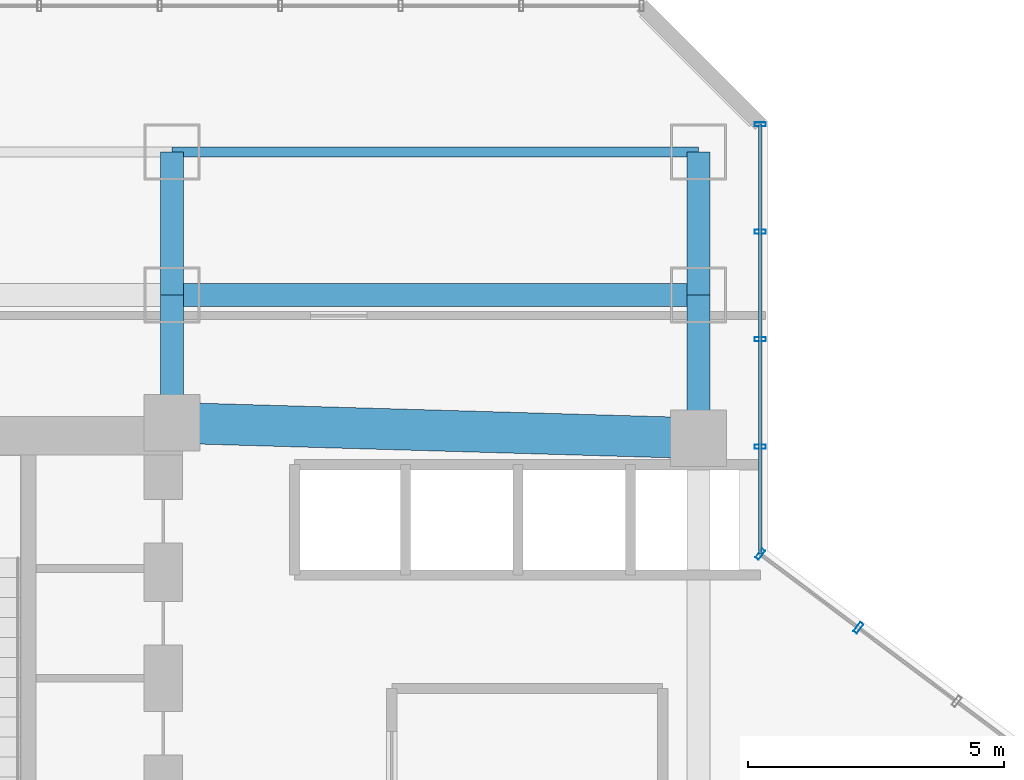
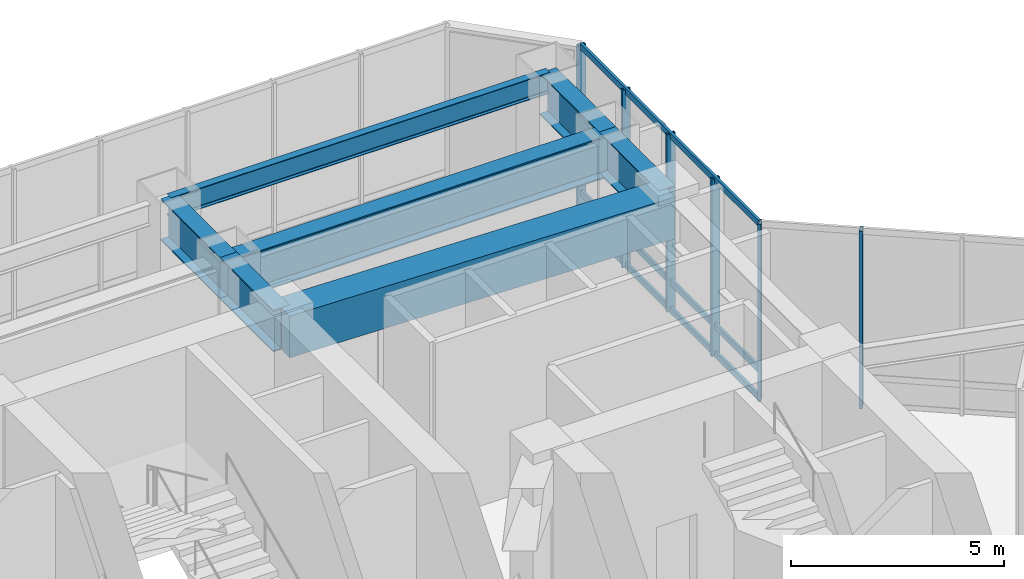
# One storey, part 20 of 35: 9 members, 7 beams, 2 elements without a shape of their own.
"""IFC4 building model written with IfcOpenShell, lengths in metres."""

from ifc_helpers import new_model, si_unit, direction, frame, origin, origin_2d, place, context, subcontext, project, spatial, rectangle, hollow_rectangle, i_section, extrude, material, layer, layer_set, material_profile, profile_set, type_object, element, aggregate, save


model = new_model("IFC4")

# Units and contexts
model_context = context("Model", 3, precision=1e-05, world=origin(), true_north=direction((0.0, 1.0)))
body_context = subcontext(model_context, "Body", "Model", "MODEL_VIEW")
ifc_project = project(units=[si_unit("LENGTHUNIT", "METRE"), si_unit("AREAUNIT", "SQUARE_METRE"), si_unit("VOLUMEUNIT", "CUBIC_METRE"), si_unit("PLANEANGLEUNIT", "RADIAN"), si_unit("MASSUNIT", "GRAM", prefix="KILO")], contexts=[model_context])

# Site, building, storey
site_placement = place(None, origin())
site = spatial("IfcSite", under=ifc_project, at=site_placement, CompositionType="ELEMENT")
building_placement = place(site_placement, origin())
building = spatial("IfcBuilding", under=site, at=building_placement, Name="Hatsunagi Terrace Concourse", CompositionType="ELEMENT")
storey_placement = place(building_placement, frame((0.0, 0.0, 10.800048828125)))
storey = spatial("IfcBuildingStorey", under=building, at=storey_placement, Name="L03", CompositionType="ELEMENT", Elevation=10.800048828125)

# Beam
ifc_material_1 = material(Name="Concrete Fc60", Category="concrete")
ifc_material_profile_1 = material_profile(ifc_material_1, rectangle(XDim=0.800048828125, YDim=1.199951171875, at=origin_2d()), Name="RC-800x1200")
ifc_profile_set_1 = profile_set([ifc_material_profile_1], Name="Concrete Fc60")
beam_type_1 = type_object("IfcBeamType", Name="CoreCouplingBeam_RC_800x1200", PredefinedType="BEAM", material=ifc_profile_set_1)
beam_1_placement = place(storey_placement, frame((33.35009765625, 43.300048828125, 4.5), z_axis=(0.999575947545, -0.029119153303, 0.0), x_axis=(0.029119153303, 0.999575947545, 0.0)))
element("IfcBeam", 1, at=beam_1_placement, inside=storey, type_object=beam_type_1, Name="Beam CB-01 CB-L03-2", PredefinedType="BEAM", context=body_context, shape_type="SweptSolid", body=[
    extrude(rectangle(XDim=0.800048828125, YDim=1.199951171875, at=origin_2d()), origin(), (0.0, 0.0, 1.0), 10.30419921875),
])

# Curtain wall, members
ifc_material_2 = material(Name="Anodised Aluminium Alloy 6063-T5", Category="aluminium")
ifc_layer = layer(ifc_material_2, 0.199951171875)
ifc_layer_set = layer_set([ifc_layer], Name="PodiumStorefront_CW01")
curtain_wall_type = type_object("IfcCurtainWallType", Name="PodiumStorefront_CW01", PredefinedType="NOTDEFINED", material=ifc_layer_set)
curtain_wall_1_placement = place(storey_placement, origin())
curtain_wall_1 = element("IfcCurtainWall", 2, at=curtain_wall_1_placement, inside=storey, type_object=curtain_wall_type, Name="Unitised Curtain Wall CW-01 CW-L03-01", PredefinedType="NOTDEFINED")
ifc_material_3 = material(Name="Anodised Aluminium Alloy 6063-T5", Category="aluminium")
ifc_material_profile_2 = material_profile(ifc_material_3, hollow_rectangle(XDim=0.080078125, YDim=0.219970703125, WallThickness=0.0048828125, at=origin_2d()), Name="ALU-MUL-220x80x5")
ifc_profile_set_2 = profile_set([ifc_material_profile_2], Name="Anodised Aluminium Alloy 6063-T5")
member_type_1 = type_object("IfcMemberType", Name="CurtainWallMullion_Heavy_220x80", PredefinedType="MULLION", material=ifc_profile_set_2)
member_1_placement = place(storey_placement, frame((44.860107421875, 40.72998046875, 0.0), z_axis=(0.0, 0.0, 1.0), x_axis=(0.800007305671, -0.599990258982, 0.0)))
member_1 = element("IfcMember", 3, at=member_1_placement, type_object=member_type_1, Name="Curtain Wall Mullion MUL-01", PredefinedType="MULLION", context=body_context, shape_type="SweptSolid", body=[
    extrude(hollow_rectangle(XDim=0.080078125, YDim=0.219970703125, WallThickness=0.0048828125, at=origin_2d()), origin(), (0.0, 0.0, 1.0), 5.099853515625),
])
member_2_placement = place(storey_placement, frame((46.781005859375, 39.2890625, 0.0), z_axis=(0.0, 0.0, 1.0), x_axis=(0.800007305671, -0.599990258982, 0.0)))
member_2 = element("IfcMember", 4, at=member_2_placement, type_object=member_type_1, Name="Curtain Wall Mullion MUL-01", PredefinedType="MULLION", context=body_context, shape_type="SweptSolid", body=[
    extrude(hollow_rectangle(XDim=0.080078125, YDim=0.219970703125, WallThickness=0.0048828125, at=origin_2d()), origin(), (0.0, 0.0, 1.0), 5.099853515625),
])
aggregate(curtain_wall_1, [member_1, member_2])

curtain_wall_2_placement = place(storey_placement, origin())
curtain_wall_2 = element("IfcCurtainWall", 5, at=curtain_wall_2_placement, inside=storey, type_object=curtain_wall_type, Name="Unitised Curtain Wall CW-01 CW-L03-14", PredefinedType="NOTDEFINED")
member_3_placement = place(storey_placement, frame((44.860107421875, 49.14208984375, 0.0), z_axis=(0.0, 0.0, 1.0), x_axis=(0.0, -1.0, 0.0)))
member_3 = element("IfcMember", 6, at=member_3_placement, type_object=member_type_1, Name="Curtain Wall Mullion MUL-01", PredefinedType="MULLION", context=body_context, shape_type="SweptSolid", body=[
    extrude(hollow_rectangle(XDim=0.080078125, YDim=0.219970703125, WallThickness=0.0048828125, at=origin_2d()), origin(), (0.0, 0.0, 1.0), 5.099853515625),
])
member_4_placement = place(storey_placement, frame((44.860107421875, 47.0390625, 0.0), z_axis=(0.0, 0.0, 1.0), x_axis=(0.0, -1.0, 0.0)))
member_4 = element("IfcMember", 7, at=member_4_placement, type_object=member_type_1, Name="Curtain Wall Mullion MUL-01", PredefinedType="MULLION", context=body_context, shape_type="SweptSolid", body=[
    extrude(hollow_rectangle(XDim=0.080078125, YDim=0.219970703125, WallThickness=0.0048828125, at=origin_2d()), origin(), (0.0, 0.0, 1.0), 5.099853515625),
])
member_5_placement = place(storey_placement, frame((44.860107421875, 44.93603515625, 0.0), z_axis=(0.0, 0.0, 1.0), x_axis=(0.0, -1.0, 0.0)))
member_5 = element("IfcMember", 8, at=member_5_placement, type_object=member_type_1, Name="Curtain Wall Mullion MUL-01", PredefinedType="MULLION", context=body_context, shape_type="SweptSolid", body=[
    extrude(hollow_rectangle(XDim=0.080078125, YDim=0.219970703125, WallThickness=0.0048828125, at=origin_2d()), origin(), (0.0, 0.0, 1.0), 5.099853515625),
])
member_6_placement = place(storey_placement, frame((44.860107421875, 42.8330078125, 0.0), z_axis=(0.0, 0.0, 1.0), x_axis=(0.0, -1.0, 0.0)))
member_6 = element("IfcMember", 9, at=member_6_placement, type_object=member_type_1, Name="Curtain Wall Mullion MUL-01", PredefinedType="MULLION", context=body_context, shape_type="SweptSolid", body=[
    extrude(hollow_rectangle(XDim=0.080078125, YDim=0.219970703125, WallThickness=0.0048828125, at=origin_2d()), origin(), (0.0, 0.0, 1.0), 5.099853515625),
])
ifc_material_4 = material(Name="Anodised Aluminium Alloy 6063-T5", Category="aluminium")
ifc_material_profile_3 = material_profile(ifc_material_4, hollow_rectangle(XDim=0.070068359375, YDim=0.179931640625, WallThickness=0.00390625, at=origin_2d()), Name="ALU-TRN-180x70x4")
ifc_profile_set_3 = profile_set([ifc_material_profile_3], Name="Anodised Aluminium Alloy 6063-T5")
member_type_2 = type_object("IfcMemberType", Name="CurtainWallTransom_Heavy_180x70", PredefinedType="USERDEFINED", material=ifc_profile_set_3)
member_7_placement = place(storey_placement, frame((44.860107421875, 49.14208984375, 0.050048828125), z_axis=(0.0, -1.0, 0.0), x_axis=(1.0, 0.0, 0.0)))
member_7 = element("IfcMember", 10, at=member_7_placement, type_object=member_type_2, Name="Curtain Wall Transom TRN-01", ObjectType="TRANSOM", PredefinedType="USERDEFINED", context=body_context, shape_type="SweptSolid", body=[
    extrude(hollow_rectangle(XDim=0.070068359375, YDim=0.179931640625, WallThickness=0.00390625, at=origin_2d()), origin(), (0.0, 0.0, 1.0), 8.412109375),
])
member_8_placement = place(storey_placement, frame((44.860107421875, 49.14208984375, 0.849853515625), z_axis=(0.0, -1.0, 0.0), x_axis=(1.0, 0.0, 0.0)))
member_8 = element("IfcMember", 11, at=member_8_placement, type_object=member_type_2, Name="Curtain Wall Transom TRN-01", ObjectType="TRANSOM", PredefinedType="USERDEFINED", context=body_context, shape_type="SweptSolid", body=[
    extrude(hollow_rectangle(XDim=0.070068359375, YDim=0.179931640625, WallThickness=0.00390625, at=origin_2d()), origin(), (0.0, 0.0, 1.0), 8.412109375),
])
member_9_placement = place(storey_placement, frame((44.860107421875, 49.14208984375, 5.050048828125), z_axis=(0.0, -1.0, 0.0), x_axis=(1.0, 0.0, 0.0)))
member_9 = element("IfcMember", 12, at=member_9_placement, type_object=member_type_2, Name="Curtain Wall Transom TRN-01", ObjectType="TRANSOM", PredefinedType="USERDEFINED", context=body_context, shape_type="SweptSolid", body=[
    extrude(hollow_rectangle(XDim=0.070068359375, YDim=0.179931640625, WallThickness=0.00390625, at=origin_2d()), origin(), (0.0, 0.0, 1.0), 8.412109375),
])
aggregate(curtain_wall_2, [member_3, member_4, member_5, member_6, member_7, member_8, member_9])

# Beams
ifc_material_5 = material(Name="Steel SN490B", Category="steel")
ifc_material_profile_4 = material_profile(ifc_material_5, i_section(OverallWidth=0.199951171875, OverallDepth=0.60009765625, WebThickness=0.010986328125, FlangeThickness=0.01708984375, FilletRadius=0.01806640625, at=origin_2d()), Name="H-600x200x11x17")
ifc_profile_set_4 = profile_set([ifc_material_profile_4], Name="Steel SN490B")
beam_type_2 = type_object("IfcBeamType", Name="PerimeterSpandrel_H_600x200", PredefinedType="SPANDREL", material=ifc_profile_set_4)
beam_2_placement = place(storey_placement, frame((33.35009765625, 48.60009765625, 4.800048828125), z_axis=(1.0, 0.0, 0.0), x_axis=(0.0, 1.0, 0.0)))
element("IfcBeam", 13, at=beam_2_placement, inside=storey, type_object=beam_type_2, Name="Beam SP-01 BM-L03-WN-33", PredefinedType="SPANDREL", context=body_context, shape_type="SweptSolid", body=[
    extrude(i_section(OverallWidth=0.199951171875, OverallDepth=0.60009765625, WebThickness=0.010986328125, FlangeThickness=0.01708984375, FilletRadius=0.01806640625, at=origin_2d()), origin(), (0.0, 0.0, 1.0), 10.2998046875),
])
ifc_material_6 = material(Name="Steel SN490B", Category="steel")
ifc_material_profile_5 = material_profile(ifc_material_6, i_section(OverallWidth=0.449951171875, OverallDepth=1.199951171875, WebThickness=0.02490234375, FlangeThickness=0.035888671875, at=origin_2d()), Name="BH-1200x450x25x36")
ifc_profile_set_5 = profile_set([ifc_material_profile_5], Name="Steel SN490B")
beam_type_3 = type_object("IfcBeamType", Name="PodiumHallGirder_BH_1200x450x25x36", PredefinedType="BEAM", material=ifc_profile_set_5)
beam_3_placement = place(storey_placement, frame((33.35009765625, 43.300048828125, 4.5), z_axis=(0.0, 1.0, 0.0), x_axis=(-1.0, 0.0, 0.0)))
element("IfcBeam", 14, at=beam_3_placement, inside=storey, type_object=beam_type_3, Name="Beam G-01 BM-L03-CN2", PredefinedType="BEAM", context=body_context, shape_type="SweptSolid", body=[
    extrude(i_section(OverallWidth=0.449951171875, OverallDepth=1.199951171875, WebThickness=0.02490234375, FlangeThickness=0.035888671875, at=origin_2d()), origin(), (0.0, 0.0, 1.0), 2.5),
])
beam_4_placement = place(storey_placement, frame((43.64990234375, 43.0, 4.5), z_axis=(0.0, 1.0, 0.0), x_axis=(-1.0, 0.0, 0.0)))
element("IfcBeam", 15, at=beam_4_placement, inside=storey, type_object=beam_type_3, Name="Beam G-01 BM-L03-CN3", PredefinedType="BEAM", context=body_context, shape_type="SweptSolid", body=[
    extrude(i_section(OverallWidth=0.449951171875, OverallDepth=1.199951171875, WebThickness=0.02490234375, FlangeThickness=0.035888671875, at=origin_2d()), origin(), (0.0, 0.0, 1.0), 2.800048828125),
])
beam_5_placement = place(storey_placement, frame((33.35009765625, 45.800048828125, 4.5), z_axis=(1.0, 0.0, 0.0), x_axis=(0.0, 1.0, 0.0)))
element("IfcBeam", 16, at=beam_5_placement, inside=storey, type_object=beam_type_3, Name="Beam G-01 BM-L03-CNEW2", PredefinedType="BEAM", context=body_context, shape_type="SweptSolid", body=[
    extrude(i_section(OverallWidth=0.449951171875, OverallDepth=1.199951171875, WebThickness=0.02490234375, FlangeThickness=0.035888671875, at=origin_2d()), origin(), (0.0, 0.0, 1.0), 10.2998046875),
])
for number, where, z_axis, x_axis, name in (
    (17, (33.35009765625, 45.800048828125, 4.5), (0.0, 1.0, 0.0), (-1.0, 0.0, 0.0), "Beam G-01 BM-L03-KN-WN5"),
    (18, (43.64990234375, 45.800048828125, 4.5), (0.0, 1.0, 0.0), (-1.0, 0.0, 0.0), "Beam G-01 BM-L03-KN-WN6"),
):
    element("IfcBeam", number, at=place(storey_placement, frame(where, z_axis=z_axis, x_axis=x_axis)), inside=storey, type_object=beam_type_3, Name=name, PredefinedType="BEAM", context=body_context, shape_type="SweptSolid", body=[
        extrude(i_section(OverallWidth=0.449951171875, OverallDepth=1.199951171875, WebThickness=0.02490234375, FlangeThickness=0.035888671875, at=origin_2d()), origin(), (0.0, 0.0, 1.0), 2.800048828125),
    ])

save(model, "model.ifc")
